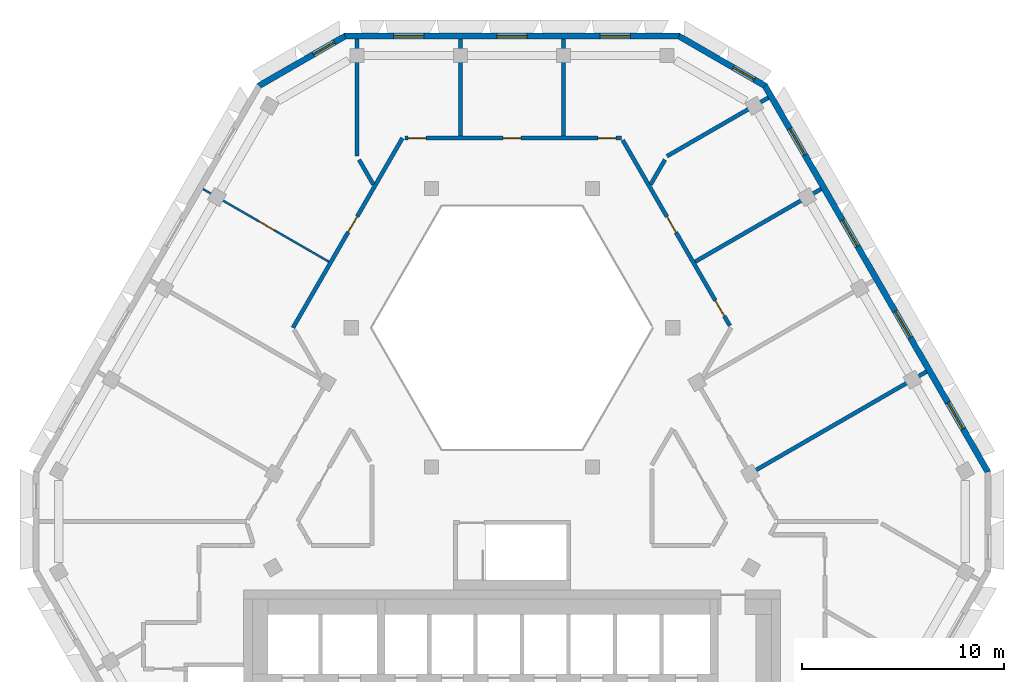
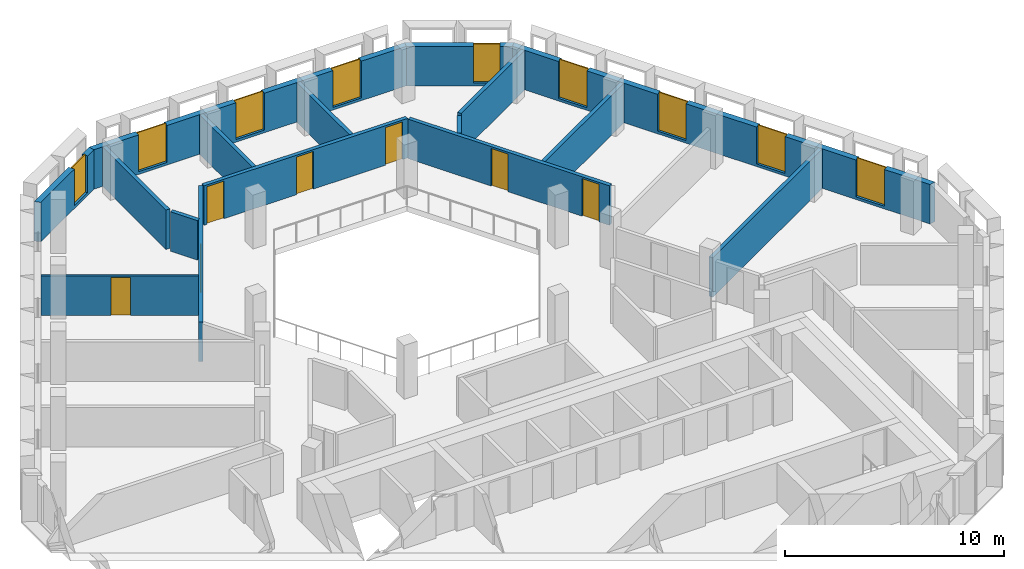
# One storey, part 5 of 7: 16 walls, 9 windows, 7 doors, 16 openings.
"""IFC4 building model written with IfcOpenShell, lengths in metres."""

from ifc_helpers import new_model, si_unit, direction, frame, frame_2d, origin, place, context, subcontext, project, spatial, polyline, rectangle, outline, extrude, material, layer, layer_set, type_object, element, fill, save


model = new_model("IFC4")

# Units and contexts
model_context = context("Model", 3, precision=1e-05, world=origin(), true_north=direction((0.0, 1.0)))
body_context = subcontext(model_context, "Body", "Model", "MODEL_VIEW")
ifc_project = project(units=[si_unit("LENGTHUNIT", "METRE"), si_unit("AREAUNIT", "SQUARE_METRE"), si_unit("VOLUMEUNIT", "CUBIC_METRE"), si_unit("PLANEANGLEUNIT", "RADIAN"), si_unit("MASSUNIT", "GRAM", prefix="KILO")], contexts=[model_context])

# Site, building, storey
site_placement = place(None, origin())
site = spatial("IfcSite", under=ifc_project, at=site_placement, CompositionType="ELEMENT")
building_placement = place(site_placement, origin())
building = spatial("IfcBuilding", under=site, at=building_placement, Name="Beryl Residences", CompositionType="ELEMENT")
storey_placement = place(building_placement, frame((0.0, 0.0, 241.800048828125)))
storey = spatial("IfcBuildingStorey", under=building, at=storey_placement, Name="L75", CompositionType="ELEMENT", Elevation=241.800048828125)

# Wall, openings, windows
ifc_material_1 = material(Name="Composite metal panel with mineral wool insulation")
ifc_layer_1 = layer(ifc_material_1, 0.300048828125)
ifc_layer_set_1 = layer_set([ifc_layer_1], Name="ES1 pale metal composite panel wall 300 mm")
wall_type_1 = type_object("IfcWallType", Name="ES1 pale metal composite panel wall 300 mm", PredefinedType="SOLIDWALL", material=ifc_layer_set_1)
wall_1_placement = place(storey_placement, frame((8.31396484375, 22.449951171875, 0.0), z_axis=(0.0, 0.0, 1.0), x_axis=(-1.0, 0.0, 0.0)))
wall_1 = element("IfcWall", 1, at=wall_1_placement, inside=storey, type_object=wall_type_1, Name="ES1 external wall L75 N", PredefinedType="SOLIDWALL", context=body_context, shape_type="SweptSolid", body=[
    extrude(outline(polyline([(0.0, -0.14990234375), (16.6279296875, -0.14990234375), (16.547607421875, 0.14990234375), (0.080322265625, 0.14990234375), (0.0, -0.14990234375)])), origin(), (0.0, 0.0, 1.0), 2.199951171875),
])
opening_1_placement = place(wall_1_placement, frame((2.444091796875, 0.0, 0.14990234375)))
opening_1 = element("IfcOpeningElement", 2, at=opening_1_placement, cuts=wall_1, Name="Opening W1", PredefinedType="OPENING", context=body_context, shape_type="SweptSolid", body=[
    extrude(rectangle(XDim=1.5, YDim=2.10009765625, at=frame_2d((0.75, 1.050048828125))), frame((0.0, 0.159912109375, 0.0), z_axis=(0.0, -1.0, 0.0), x_axis=(1.0, 0.0, 0.0)), (0.0, 0.0, 1.0), 0.320068359375),
])
opening_2_placement = place(wall_1_placement, frame((7.56396484375, 0.0, 0.14990234375)))
opening_2 = element("IfcOpeningElement", 3, at=opening_2_placement, cuts=wall_1, Name="Opening W1", PredefinedType="OPENING", context=body_context, shape_type="SweptSolid", body=[
    extrude(rectangle(XDim=1.5, YDim=2.10009765625, at=frame_2d((0.75, 1.050048828125))), frame((0.0, 0.159912109375, 0.0), z_axis=(0.0, -1.0, 0.0), x_axis=(1.0, 0.0, 0.0)), (0.0, 0.0, 1.0), 0.320068359375),
])
opening_3_placement = place(wall_1_placement, frame((12.68310546875, 0.0, 0.14990234375)))
opening_3 = element("IfcOpeningElement", 4, at=opening_3_placement, cuts=wall_1, Name="Opening W1", PredefinedType="OPENING", context=body_context, shape_type="SweptSolid", body=[
    extrude(rectangle(XDim=1.5, YDim=2.10009765625, at=frame_2d((0.75, 1.050048828125))), frame((0.0, 0.159912109375, 0.0), z_axis=(0.0, -1.0, 0.0), x_axis=(1.0, 0.0, 0.0)), (0.0, 0.0, 1.0), 0.320068359375),
])
ifc_material_2 = material(Name="Aluminium and clear glass", Category="aluminium")
window_type_1 = type_object("IfcWindowType", Name="W1 cell window 1500 x 2100 mm", PartitioningType="SINGLE_PANEL", PredefinedType="WINDOW", material=ifc_material_2)
window_1_placement = place(opening_1_placement, origin())
window_1 = element("IfcWindow", 5, at=window_1_placement, inside=storey, type_object=window_type_1, Name="W1 window L75 N 2", OverallHeight=2.10009765625, OverallWidth=1.5, PartitioningType="SINGLE_PANEL", PredefinedType="WINDOW", context=body_context, shape_type="SweptSolid", body=[
    extrude(rectangle(XDim=1.5, YDim=2.10009765625, at=frame_2d((0.75, 1.050048828125))), frame((0.0, 0.030029296875, 0.0), z_axis=(0.0, -1.0, 0.0), x_axis=(1.0, 0.0, 0.0)), (0.0, 0.0, 1.0), 0.06005859375),
])
fill(opening_1, window_1)
window_2_placement = place(opening_2_placement, origin())
window_2 = element("IfcWindow", 6, at=window_2_placement, inside=storey, type_object=window_type_1, Name="W1 window L75 N 4", OverallHeight=2.10009765625, OverallWidth=1.5, PartitioningType="SINGLE_PANEL", PredefinedType="WINDOW", context=body_context, shape_type="SweptSolid", body=[
    extrude(rectangle(XDim=1.5, YDim=2.10009765625, at=frame_2d((0.75, 1.050048828125))), frame((0.0, 0.030029296875, 0.0), z_axis=(0.0, -1.0, 0.0), x_axis=(1.0, 0.0, 0.0)), (0.0, 0.0, 1.0), 0.06005859375),
])
fill(opening_2, window_2)
window_3_placement = place(opening_3_placement, origin())
window_3 = element("IfcWindow", 7, at=window_3_placement, inside=storey, type_object=window_type_1, Name="W1 window L75 N 6", OverallHeight=2.10009765625, OverallWidth=1.5, PartitioningType="SINGLE_PANEL", PredefinedType="WINDOW", context=body_context, shape_type="SweptSolid", body=[
    extrude(rectangle(XDim=1.5, YDim=2.10009765625, at=frame_2d((0.75, 1.050048828125))), frame((0.0, 0.030029296875, 0.0), z_axis=(0.0, -1.0, 0.0), x_axis=(1.0, 0.0, 0.0)), (0.0, 0.0, 1.0), 0.06005859375),
])
fill(opening_3, window_3)

# Wall, opening, window
wall_2_placement = place(storey_placement, frame((-8.239013671875, 22.469970703125, 0.0), z_axis=(0.0, 0.0, 1.0), x_axis=(-0.866022959057, -0.500004234368, 0.0)))
wall_2 = element("IfcWall", 8, at=wall_2_placement, inside=storey, type_object=wall_type_1, Name="ES1 external wall L75 N-NW", PredefinedType="SOLIDWALL", context=body_context, shape_type="SweptSolid", body=[
    extrude(outline(polyline([(0.0, -0.14990234375), (5.0, -0.14990234375), (4.919677734375, 0.14990234375), (0.080322265625, 0.14990234375), (0.0, -0.14990234375)])), origin(), (0.0, 0.0, 1.0), 2.199951171875),
])
opening_4_placement = place(wall_2_placement, frame((0.64990234375, 0.0, 0.14990234375)))
opening_4 = element("IfcOpeningElement", 9, at=opening_4_placement, cuts=wall_2, Name="Opening W2", PredefinedType="OPENING", context=body_context, shape_type="SweptSolid", body=[
    extrude(rectangle(XDim=1.199951171875, YDim=2.10009765625, at=frame_2d((0.60009765625, 1.050048828125))), frame((0.0, 0.159912109375, 0.0), z_axis=(0.0, -1.0, 0.0), x_axis=(1.0, 0.0, 0.0)), (0.0, 0.0, 1.0), 0.320068359375),
])
ifc_material_3 = material(Name="Aluminium and clear glass", Category="aluminium")
window_type_2 = type_object("IfcWindowType", Name="W2 chamfer window 1200 x 2100 mm", PartitioningType="SINGLE_PANEL", PredefinedType="WINDOW", material=ifc_material_3)
window_4_placement = place(opening_4_placement, origin())
window_4 = element("IfcWindow", 10, at=window_4_placement, inside=storey, type_object=window_type_2, Name="W2 window L75 N-NW 1", OverallHeight=2.10009765625, OverallWidth=1.199951171875, PartitioningType="SINGLE_PANEL", PredefinedType="WINDOW", context=body_context, shape_type="SweptSolid", body=[
    extrude(rectangle(XDim=1.199951171875, YDim=2.10009765625, at=frame_2d((0.60009765625, 1.050048828125))), frame((0.0, 0.030029296875, 0.0), z_axis=(0.0, -1.0, 0.0), x_axis=(1.0, 0.0, 0.0)), (0.0, 0.0, 1.0), 0.06005859375),
])
fill(opening_4, window_4)

# Wall, openings, windows
wall_3_placement = place(storey_placement, frame((23.59912109375, 0.824951171875, 0.0), z_axis=(0.0, 0.0, 1.0), x_axis=(-0.500003656944, 0.866023292436, 0.0)))
wall_3 = element("IfcWall", 11, at=wall_3_placement, inside=storey, type_object=wall_type_1, Name="ES1 external wall L75 NE", PredefinedType="SOLIDWALL", context=body_context, shape_type="SweptSolid", body=[
    extrude(outline(polyline([(0.0, -0.14990234375), (22.170166015625, -0.14990234375), (22.08984375, 0.14990234375), (0.080322265625, 0.14990234375), (0.0, -0.14990234375)])), origin(), (0.0, 0.0, 1.0), 2.199951171875),
])
opening_5_placement = place(wall_3_placement, frame((2.4970703125, 0.0, 0.14990234375)))
opening_5 = element("IfcOpeningElement", 12, at=opening_5_placement, cuts=wall_3, Name="Opening W1", PredefinedType="OPENING", context=body_context, shape_type="SweptSolid", body=[
    extrude(rectangle(XDim=1.5, YDim=2.10009765625, at=frame_2d((0.75, 1.050048828125))), frame((0.0, 0.159912109375, 0.0), z_axis=(0.0, -1.0, 0.0), x_axis=(1.0, 0.0, 0.0)), (0.0, 0.0, 1.0), 0.320068359375),
])
opening_6_placement = place(wall_3_placement, frame((7.722900390625, 0.0, 0.14990234375)))
opening_6 = element("IfcOpeningElement", 13, at=opening_6_placement, cuts=wall_3, Name="Opening W1", PredefinedType="OPENING", context=body_context, shape_type="SweptSolid", body=[
    extrude(rectangle(XDim=1.5, YDim=2.10009765625, at=frame_2d((0.75, 1.050048828125))), frame((0.0, 0.159912109375, 0.0), z_axis=(0.0, -1.0, 0.0), x_axis=(1.0, 0.0, 0.0)), (0.0, 0.0, 1.0), 0.320068359375),
])
opening_7_placement = place(wall_3_placement, frame((12.947998046875, 0.0, 0.14990234375)))
opening_7 = element("IfcOpeningElement", 14, at=opening_7_placement, cuts=wall_3, Name="Opening W1", PredefinedType="OPENING", context=body_context, shape_type="SweptSolid", body=[
    extrude(rectangle(XDim=1.5, YDim=2.10009765625, at=frame_2d((0.75, 1.050048828125))), frame((0.0, 0.159912109375, 0.0), z_axis=(0.0, -1.0, 0.0), x_axis=(1.0, 0.0, 0.0)), (0.0, 0.0, 1.0), 0.320068359375),
])
opening_8_placement = place(wall_3_placement, frame((18.173095703125, 0.0, 0.14990234375)))
opening_8 = element("IfcOpeningElement", 15, at=opening_8_placement, cuts=wall_3, Name="Opening W1", PredefinedType="OPENING", context=body_context, shape_type="SweptSolid", body=[
    extrude(rectangle(XDim=1.5, YDim=2.10009765625, at=frame_2d((0.75, 1.050048828125))), frame((0.0, 0.159912109375, 0.0), z_axis=(0.0, -1.0, 0.0), x_axis=(1.0, 0.0, 0.0)), (0.0, 0.0, 1.0), 0.320068359375),
])
window_5_placement = place(opening_5_placement, origin())
window_5 = element("IfcWindow", 16, at=window_5_placement, inside=storey, type_object=window_type_1, Name="W1 window L75 NE 2", OverallHeight=2.10009765625, OverallWidth=1.5, PartitioningType="SINGLE_PANEL", PredefinedType="WINDOW", context=body_context, shape_type="SweptSolid", body=[
    extrude(rectangle(XDim=1.5, YDim=2.10009765625, at=frame_2d((0.75, 1.050048828125))), frame((0.0, 0.030029296875, 0.0), z_axis=(0.0, -1.0, 0.0), x_axis=(1.0, 0.0, 0.0)), (0.0, 0.0, 1.0), 0.06005859375),
])
fill(opening_5, window_5)
window_6_placement = place(opening_6_placement, origin())
window_6 = element("IfcWindow", 17, at=window_6_placement, inside=storey, type_object=window_type_1, Name="W1 window L75 NE 4", OverallHeight=2.10009765625, OverallWidth=1.5, PartitioningType="SINGLE_PANEL", PredefinedType="WINDOW", context=body_context, shape_type="SweptSolid", body=[
    extrude(rectangle(XDim=1.5, YDim=2.10009765625, at=frame_2d((0.75, 1.050048828125))), frame((0.0, 0.030029296875, 0.0), z_axis=(0.0, -1.0, 0.0), x_axis=(1.0, 0.0, 0.0)), (0.0, 0.0, 1.0), 0.06005859375),
])
fill(opening_6, window_6)
window_7_placement = place(opening_7_placement, origin())
window_7 = element("IfcWindow", 18, at=window_7_placement, inside=storey, type_object=window_type_1, Name="W1 window L75 NE 6", OverallHeight=2.10009765625, OverallWidth=1.5, PartitioningType="SINGLE_PANEL", PredefinedType="WINDOW", context=body_context, shape_type="SweptSolid", body=[
    extrude(rectangle(XDim=1.5, YDim=2.10009765625, at=frame_2d((0.75, 1.050048828125))), frame((0.0, 0.030029296875, 0.0), z_axis=(0.0, -1.0, 0.0), x_axis=(1.0, 0.0, 0.0)), (0.0, 0.0, 1.0), 0.06005859375),
])
fill(opening_7, window_7)
window_8_placement = place(opening_8_placement, origin())
window_8 = element("IfcWindow", 19, at=window_8_placement, inside=storey, type_object=window_type_1, Name="W1 window L75 NE 8", OverallHeight=2.10009765625, OverallWidth=1.5, PartitioningType="SINGLE_PANEL", PredefinedType="WINDOW", context=body_context, shape_type="SweptSolid", body=[
    extrude(rectangle(XDim=1.5, YDim=2.10009765625, at=frame_2d((0.75, 1.050048828125))), frame((0.0, 0.030029296875, 0.0), z_axis=(0.0, -1.0, 0.0), x_axis=(1.0, 0.0, 0.0)), (0.0, 0.0, 1.0), 0.06005859375),
])
fill(opening_8, window_8)

# Wall, opening, window
wall_4_placement = place(storey_placement, frame((12.569091796875, 19.969970703125, 0.0), z_axis=(0.0, 0.0, 1.0), x_axis=(-0.866022959057, 0.500004234368, 0.0)))
wall_4 = element("IfcWall", 20, at=wall_4_placement, inside=storey, type_object=wall_type_1, Name="ES1 external wall L75 NE-N", PredefinedType="SOLIDWALL", context=body_context, shape_type="SweptSolid", body=[
    extrude(outline(polyline([(0.0, -0.14990234375), (5.0, -0.14990234375), (4.919677734375, 0.14990234375), (0.080322265625, 0.14990234375), (0.0, -0.14990234375)])), origin(), (0.0, 0.0, 1.0), 2.199951171875),
])
opening_9_placement = place(wall_4_placement, frame((0.64990234375, 0.0, 0.14990234375)))
opening_9 = element("IfcOpeningElement", 21, at=opening_9_placement, cuts=wall_4, Name="Opening W2", PredefinedType="OPENING", context=body_context, shape_type="SweptSolid", body=[
    extrude(rectangle(XDim=1.199951171875, YDim=2.10009765625, at=frame_2d((0.60009765625, 1.050048828125))), frame((0.0, 0.159912109375, 0.0), z_axis=(0.0, -1.0, 0.0), x_axis=(1.0, 0.0, 0.0)), (0.0, 0.0, 1.0), 0.320068359375),
])
window_9_placement = place(opening_9_placement, origin())
window_9 = element("IfcWindow", 22, at=window_9_placement, inside=storey, type_object=window_type_2, Name="W2 window L75 NE-N 1", OverallHeight=2.10009765625, OverallWidth=1.199951171875, PartitioningType="SINGLE_PANEL", PredefinedType="WINDOW", context=body_context, shape_type="SweptSolid", body=[
    extrude(rectangle(XDim=1.199951171875, YDim=2.10009765625, at=frame_2d((0.60009765625, 1.050048828125))), frame((0.0, 0.030029296875, 0.0), z_axis=(0.0, -1.0, 0.0), x_axis=(1.0, 0.0, 0.0)), (0.0, 0.0, 1.0), 0.06005859375),
])
fill(opening_9, window_9)

# Wall, opening, door
ifc_material_4 = material(Name="Gypsum board partition on steel studs", Category="steel")
ifc_layer_2 = layer(ifc_material_4, 0.10009765625)
ifc_layer_set_2 = layer_set([ifc_layer_2], Name="PT1 partition 100 mm gypsum board on steel studs")
wall_type_2 = type_object("IfcWallType", Name="PT1 partition 100 mm gypsum board on steel studs", PredefinedType="PARTITIONING", material=ifc_layer_set_2)
wall_5_placement = place(storey_placement, frame((-15.31396484375, 14.875, 0.0), z_axis=(0.0, 0.0, 1.0), x_axis=(0.866001485781, -0.500041424909, 0.0)))
wall_5 = element("IfcWall", 23, at=wall_5_placement, inside=storey, type_object=wall_type_2, Name="Wall PT1 L75 001", PredefinedType="PARTITIONING", context=body_context, shape_type="SweptSolid", body=[
    extrude(rectangle(XDim=7.19970703125, YDim=0.10009765625, at=frame_2d((3.599853515625, 0.0))), origin(), (0.0, 0.0, 1.0), 2.199951171875),
])
opening_10_placement = place(wall_5_placement, frame((3.199951171875, 0.0, 0.0)))
opening_10 = element("IfcOpeningElement", 24, at=opening_10_placement, cuts=wall_5, Name="Opening D2303", PredefinedType="OPENING", context=body_context, shape_type="SweptSolid", body=[
    extrude(rectangle(XDim=0.89990234375, YDim=2.10009765625, at=frame_2d((0.449951171875, 1.050048828125))), frame((0.0, 0.06005859375, 0.0), z_axis=(0.0, -1.0, 0.0), x_axis=(1.0, 0.0, 0.0)), (0.0, 0.0, 1.0), 0.1201171875),
])
ifc_material_5 = material(Name="Timber door leaf", Category="wood")
door_type = type_object("IfcDoorType", Name="D2 room door 900 x 2100 mm", OperationType="SINGLE_SWING_LEFT", PredefinedType="DOOR", material=ifc_material_5)
door_1_placement = place(opening_10_placement, origin())
door_1 = element("IfcDoor", 25, at=door_1_placement, inside=storey, type_object=door_type, Name="Door D2303 L75 001", OperationType="SINGLE_SWING_LEFT", OverallHeight=2.10009765625, OverallWidth=0.89990234375, PredefinedType="DOOR", context=body_context, shape_type="SweptSolid", body=[
    extrude(rectangle(XDim=0.89990234375, YDim=2.10009765625, at=frame_2d((0.449951171875, 1.050048828125))), frame((0.0, 0.02490234375, 0.0), z_axis=(0.0, -1.0, 0.0), x_axis=(1.0, 0.0, 0.0)), (0.0, 0.0, 1.0), 0.050048828125),
])
fill(opening_10, door_1)

# Walls
ifc_material_6 = material(Name="Acoustic double stud gypsum board wall")
ifc_layer_3 = layer(ifc_material_6, 0.199951171875)
ifc_layer_set_3 = layer_set([ifc_layer_3], Name="PT3 party wall 200 mm acoustic double stud")
wall_type_3 = type_object("IfcWallType", Name="PT3 party wall 200 mm acoustic double stud", PredefinedType="PARTITIONING", material=ifc_layer_set_3)
wall_6_placement = place(storey_placement, frame((-7.577880859375, 16.324951171875, 0.0), z_axis=(0.0, 0.0, 1.0), x_axis=(0.500314976313, -0.865843475737, 0.0)))
element("IfcWall", 26, at=wall_6_placement, inside=storey, type_object=wall_type_3, Name="Wall PT3 L75 001", PredefinedType="PARTITIONING", context=body_context, shape_type="SweptSolid", body=[
    extrude(rectangle(XDim=1.41455078125, YDim=0.199951171875, at=frame_2d((0.707275390625, 0.0))), origin(), (0.0, 0.0, 1.0), 2.199951171875),
])
wall_7_placement = place(storey_placement, frame((6.87109375, 15.10009765625, 0.0), z_axis=(0.0, 0.0, 1.0), x_axis=(0.50006528296, 0.865987709369, 0.0)))
element("IfcWall", 27, at=wall_7_placement, inside=storey, type_object=wall_type_3, Name="Wall PT3 L75 009", PredefinedType="PARTITIONING", context=body_context, shape_type="SweptSolid", body=[
    extrude(rectangle(XDim=1.417724609375, YDim=0.199951171875, at=frame_2d((0.708984375, 0.0))), origin(), (0.0, 0.0, 1.0), 2.199951171875),
])
wall_8_placement = place(storey_placement, frame((2.56005859375, 17.5, 0.0), z_axis=(0.0, 0.0, 1.0), x_axis=(0.0, 1.0, 0.0)))
element("IfcWall", 28, at=wall_8_placement, inside=storey, type_object=wall_type_3, Name="Wall PT3 L75 010", PredefinedType="PARTITIONING", context=body_context, shape_type="SweptSolid", body=[
    extrude(rectangle(XDim=4.800048828125, YDim=0.199951171875, at=frame_2d((2.39990234375, 0.0))), origin(), (0.0, 0.0, 1.0), 2.199951171875),
])
wall_9_placement = place(storey_placement, frame((-7.677978515625, 16.4990234375, 0.0), z_axis=(0.0, 0.0, 1.0), x_axis=(0.0, 1.0, 0.0)))
element("IfcWall", 29, at=wall_9_placement, inside=storey, type_object=wall_type_3, Name="Wall PT3 L75 011", PredefinedType="PARTITIONING", context=body_context, shape_type="SweptSolid", body=[
    extrude(rectangle(XDim=5.801025390625, YDim=0.199951171875, at=frame_2d((2.900390625, 0.0))), origin(), (0.0, 0.0, 1.0), 2.199951171875),
])
wall_10_placement = place(storey_placement, frame((-2.55908203125, 17.5, 0.0), z_axis=(0.0, 0.0, 1.0), x_axis=(0.0, 1.0, 0.0)))
element("IfcWall", 30, at=wall_10_placement, inside=storey, type_object=wall_type_3, Name="Wall PT3 L75 012", PredefinedType="PARTITIONING", context=body_context, shape_type="SweptSolid", body=[
    extrude(rectangle(XDim=4.800048828125, YDim=0.199951171875, at=frame_2d((2.39990234375, 0.0))), origin(), (0.0, 0.0, 1.0), 2.199951171875),
])
wall_11_placement = place(storey_placement, frame((11.87890625, 0.825927734375, 0.0), z_axis=(0.0, 0.0, 1.0), x_axis=(0.866065245018, 0.499930986609, 0.0)))
element("IfcWall", 31, at=wall_11_placement, inside=storey, type_object=wall_type_3, Name="Wall PT3 L75 013", PredefinedType="PARTITIONING", context=body_context, shape_type="SweptSolid", body=[
    extrude(rectangle(XDim=9.99951171875, YDim=0.199951171875, at=frame_2d((4.999755859375, 0.0))), origin(), (0.0, 0.0, 1.0), 2.199951171875),
])
wall_12_placement = place(storey_placement, frame((9.0791015625, 11.27490234375, 0.0), z_axis=(0.0, 0.0, 1.0), x_axis=(0.866001485781, 0.500041424909, 0.0)))
element("IfcWall", 32, at=wall_12_placement, inside=storey, type_object=wall_type_3, Name="Wall PT3 L75 015", PredefinedType="PARTITIONING", context=body_context, shape_type="SweptSolid", body=[
    extrude(rectangle(XDim=7.19970703125, YDim=0.199951171875, at=frame_2d((3.599853515625, 0.0))), origin(), (0.0, 0.0, 1.0), 2.199951171875),
])
wall_13_placement = place(storey_placement, frame((7.679931640625, 16.5009765625, 0.0), z_axis=(0.0, 0.0, 1.0), x_axis=(0.86602149507, 0.500006770031, 0.0)))
element("IfcWall", 33, at=wall_13_placement, inside=storey, type_object=wall_type_3, Name="Wall PT3 L75 016", PredefinedType="PARTITIONING", context=body_context, shape_type="SweptSolid", body=[
    extrude(rectangle(XDim=5.7978515625, YDim=0.199951171875, at=frame_2d((2.89892578125, 0.0))), origin(), (0.0, 0.0, 1.0), 2.199951171875),
])

# Wall, openings, doors
ifc_material_7 = material(Name="Double stud gypsum board wall")
ifc_layer_4 = layer(ifc_material_7, 0.199951171875)
ifc_layer_set_4 = layer_set([ifc_layer_4], Name="PT4 corridor wall 200 mm double stud")
wall_type_4 = type_object("IfcWallType", Name="PT4 corridor wall 200 mm double stud", PredefinedType="PARTITIONING", material=ifc_layer_set_4)
wall_14_placement = place(storey_placement, frame((5.485107421875, 17.300048828125, 0.0), z_axis=(0.0, 0.0, 1.0), x_axis=(0.499943285704, -0.866058145322, 0.0)))
wall_14 = element("IfcWall", 34, at=wall_14_placement, inside=storey, type_object=wall_type_4, Name="Wall PT4 L75 008", PredefinedType="PARTITIONING", context=body_context, shape_type="SweptSolid", body=[
    extrude(rectangle(XDim=10.622802734375, YDim=0.199951171875, at=frame_2d((5.3115234375, 0.0))), origin(), (0.0, 0.0, 1.0), 2.199951171875),
])
opening_11_placement = place(wall_14_placement, frame((9.176025390625, 0.0, 0.0)))
opening_11 = element("IfcOpeningElement", 35, at=opening_11_placement, cuts=wall_14, Name="Opening D2312", PredefinedType="OPENING", context=body_context, shape_type="SweptSolid", body=[
    extrude(rectangle(XDim=0.89990234375, YDim=2.10009765625, at=frame_2d((0.449951171875, 1.050048828125))), frame((0.0, 0.10986328125, 0.0), z_axis=(0.0, -1.0, 0.0), x_axis=(1.0, 0.0, 0.0)), (0.0, 0.0, 1.0), 0.219970703125),
])
opening_12_placement = place(wall_14_placement, frame((4.385009765625, 0.0, 0.0)))
opening_12 = element("IfcOpeningElement", 36, at=opening_12_placement, cuts=wall_14, Name="Opening D2313", PredefinedType="OPENING", context=body_context, shape_type="SweptSolid", body=[
    extrude(rectangle(XDim=0.89990234375, YDim=2.10009765625, at=frame_2d((0.449951171875, 1.050048828125))), frame((0.0, 0.10986328125, 0.0), z_axis=(0.0, -1.0, 0.0), x_axis=(1.0, 0.0, 0.0)), (0.0, 0.0, 1.0), 0.219970703125),
])
door_2_placement = place(opening_11_placement, origin())
door_2 = element("IfcDoor", 37, at=door_2_placement, inside=storey, type_object=door_type, Name="Door D2312 L75 001", OperationType="SINGLE_SWING_RIGHT", OverallHeight=2.10009765625, OverallWidth=0.89990234375, PredefinedType="DOOR", context=body_context, shape_type="SweptSolid", body=[
    extrude(rectangle(XDim=0.89990234375, YDim=2.10009765625, at=frame_2d((0.449951171875, 1.050048828125))), frame((0.0, 0.02490234375, 0.0), z_axis=(0.0, -1.0, 0.0), x_axis=(1.0, 0.0, 0.0)), (0.0, 0.0, 1.0), 0.050048828125),
])
fill(opening_11, door_2)
door_3_placement = place(opening_12_placement, origin())
door_3 = element("IfcDoor", 38, at=door_3_placement, inside=storey, type_object=door_type, Name="Door D2313 L75 001", OperationType="SINGLE_SWING_LEFT", OverallHeight=2.10009765625, OverallWidth=0.89990234375, PredefinedType="DOOR", context=body_context, shape_type="SweptSolid", body=[
    extrude(rectangle(XDim=0.89990234375, YDim=2.10009765625, at=frame_2d((0.449951171875, 1.050048828125))), frame((0.0, 0.02490234375, 0.0), z_axis=(0.0, -1.0, 0.0), x_axis=(1.0, 0.0, 0.0)), (0.0, 0.0, 1.0), 0.050048828125),
])
fill(opening_12, door_3)

wall_15_placement = place(storey_placement, frame((-5.31103515625, 17.39990234375, 0.0), z_axis=(0.0, 0.0, 1.0), x_axis=(1.0, 0.0, 0.0)))
wall_15 = element("IfcWall", 39, at=wall_15_placement, inside=storey, type_object=wall_type_4, Name="Wall PT4 L75 019", PredefinedType="PARTITIONING", context=body_context, shape_type="SweptSolid", body=[
    extrude(rectangle(XDim=10.737060546875, YDim=0.199951171875, at=frame_2d((5.36865234375, 0.0))), origin(), (0.0, 0.0, 1.0), 2.199951171875),
])
opening_13_placement = place(wall_15_placement, frame((0.157958984375, 0.0, 0.0)))
opening_13 = element("IfcOpeningElement", 40, at=opening_13_placement, cuts=wall_15, Name="Opening D2301", PredefinedType="OPENING", context=body_context, shape_type="SweptSolid", body=[
    extrude(rectangle(XDim=0.89990234375, YDim=2.10009765625, at=frame_2d((0.449951171875, 1.050048828125))), frame((0.0, 0.10986328125, 0.0), z_axis=(0.0, -1.0, 0.0), x_axis=(1.0, 0.0, 0.0)), (0.0, 0.0, 1.0), 0.219970703125),
])
opening_14_placement = place(wall_15_placement, frame((9.56494140625, 0.0, 0.0)))
opening_14 = element("IfcOpeningElement", 41, at=opening_14_placement, cuts=wall_15, Name="Opening D2314", PredefinedType="OPENING", context=body_context, shape_type="SweptSolid", body=[
    extrude(rectangle(XDim=0.89990234375, YDim=2.10009765625, at=frame_2d((0.449951171875, 1.050048828125))), frame((0.0, 0.10986328125, 0.0), z_axis=(0.0, -1.0, 0.0), x_axis=(1.0, 0.0, 0.0)), (0.0, 0.0, 1.0), 0.219970703125),
])
opening_15_placement = place(wall_15_placement, frame((4.862060546875, 0.0, 0.0)))
opening_15 = element("IfcOpeningElement", 42, at=opening_15_placement, cuts=wall_15, Name="Opening D2315", PredefinedType="OPENING", context=body_context, shape_type="SweptSolid", body=[
    extrude(rectangle(XDim=0.89990234375, YDim=2.10009765625, at=frame_2d((0.449951171875, 1.050048828125))), frame((0.0, 0.10986328125, 0.0), z_axis=(0.0, -1.0, 0.0), x_axis=(1.0, 0.0, 0.0)), (0.0, 0.0, 1.0), 0.219970703125),
])
door_4_placement = place(opening_13_placement, origin())
door_4 = element("IfcDoor", 43, at=door_4_placement, inside=storey, type_object=door_type, Name="Door D2301 L75 001", OperationType="SINGLE_SWING_LEFT", OverallHeight=2.10009765625, OverallWidth=0.89990234375, PredefinedType="DOOR", context=body_context, shape_type="SweptSolid", body=[
    extrude(rectangle(XDim=0.89990234375, YDim=2.10009765625, at=frame_2d((0.449951171875, 1.050048828125))), frame((0.0, 0.02490234375, 0.0), z_axis=(0.0, -1.0, 0.0), x_axis=(1.0, 0.0, 0.0)), (0.0, 0.0, 1.0), 0.050048828125),
])
fill(opening_13, door_4)
door_5_placement = place(opening_14_placement, origin())
door_5 = element("IfcDoor", 44, at=door_5_placement, inside=storey, type_object=door_type, Name="Door D2314 L75 001", OperationType="SINGLE_SWING_RIGHT", OverallHeight=2.10009765625, OverallWidth=0.89990234375, PredefinedType="DOOR", context=body_context, shape_type="SweptSolid", body=[
    extrude(rectangle(XDim=0.89990234375, YDim=2.10009765625, at=frame_2d((0.449951171875, 1.050048828125))), frame((0.0, 0.02490234375, 0.0), z_axis=(0.0, -1.0, 0.0), x_axis=(1.0, 0.0, 0.0)), (0.0, 0.0, 1.0), 0.050048828125),
])
fill(opening_14, door_5)
door_6_placement = place(opening_15_placement, origin())
door_6 = element("IfcDoor", 45, at=door_6_placement, inside=storey, type_object=door_type, Name="Door D2315 L75 001", OperationType="SINGLE_SWING_LEFT", OverallHeight=2.10009765625, OverallWidth=0.89990234375, PredefinedType="DOOR", context=body_context, shape_type="SweptSolid", body=[
    extrude(rectangle(XDim=0.89990234375, YDim=2.10009765625, at=frame_2d((0.449951171875, 1.050048828125))), frame((0.0, 0.02490234375, 0.0), z_axis=(0.0, -1.0, 0.0), x_axis=(1.0, 0.0, 0.0)), (0.0, 0.0, 1.0), 0.050048828125),
])
fill(opening_15, door_6)

# Wall, opening, door
wall_16_placement = place(storey_placement, frame((-10.85400390625, 8.0, 0.0), z_axis=(0.0, 0.0, 1.0), x_axis=(0.499997637144, 0.866026767976, 0.0)))
wall_16 = element("IfcWall", 46, at=wall_16_placement, inside=storey, type_object=wall_type_4, Name="Wall PT4 L75 027", PredefinedType="PARTITIONING", context=body_context, shape_type="SweptSolid", body=[
    extrude(rectangle(XDim=10.85400390625, YDim=0.199951171875, at=frame_2d((5.427001953125, 0.0))), origin(), (0.0, 0.0, 1.0), 2.199951171875),
])
opening_16_placement = place(wall_16_placement, frame((5.469970703125, 0.0, 0.0)))
opening_16 = element("IfcOpeningElement", 47, at=opening_16_placement, cuts=wall_16, Name="Opening D2302", PredefinedType="OPENING", context=body_context, shape_type="SweptSolid", body=[
    extrude(rectangle(XDim=0.89990234375, YDim=2.10009765625, at=frame_2d((0.449951171875, 1.050048828125))), frame((0.0, 0.10986328125, 0.0), z_axis=(0.0, -1.0, 0.0), x_axis=(1.0, 0.0, 0.0)), (0.0, 0.0, 1.0), 0.219970703125),
])
door_7_placement = place(opening_16_placement, origin())
door_7 = element("IfcDoor", 48, at=door_7_placement, inside=storey, type_object=door_type, Name="Door D2302 L75 001", OperationType="SINGLE_SWING_RIGHT", OverallHeight=2.10009765625, OverallWidth=0.89990234375, PredefinedType="DOOR", context=body_context, shape_type="SweptSolid", body=[
    extrude(rectangle(XDim=0.89990234375, YDim=2.10009765625, at=frame_2d((0.449951171875, 1.050048828125))), frame((0.0, 0.02490234375, 0.0), z_axis=(0.0, -1.0, 0.0), x_axis=(1.0, 0.0, 0.0)), (0.0, 0.0, 1.0), 0.050048828125),
])
fill(opening_16, door_7)

save(model, "model.ifc")
